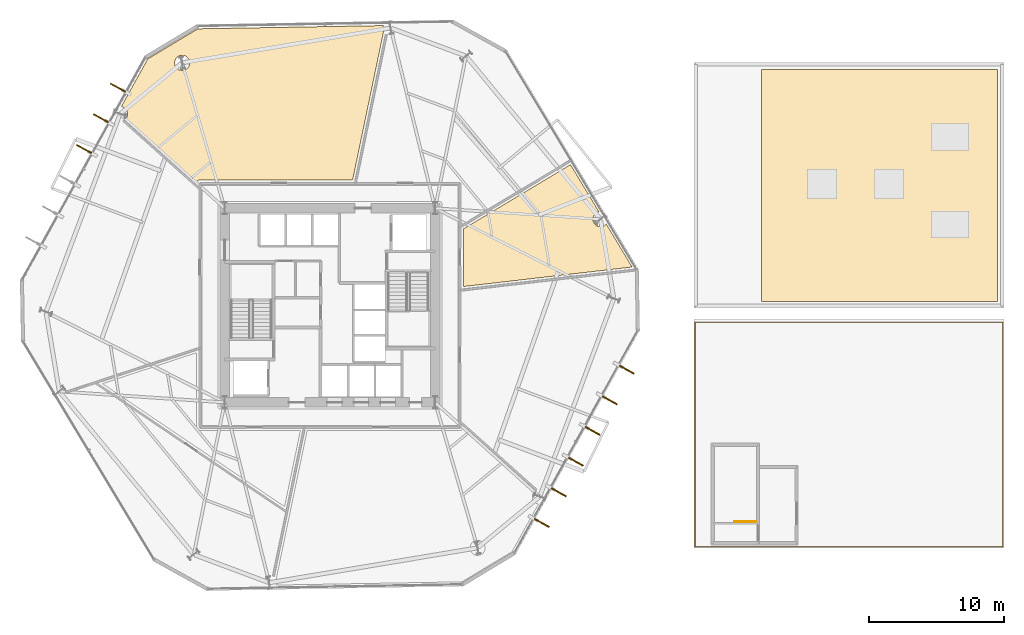
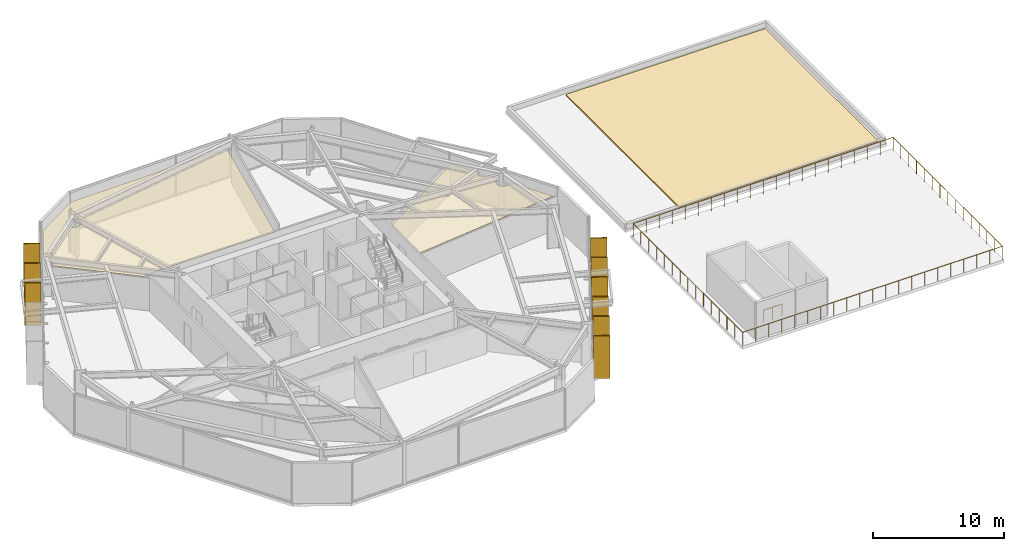
# One storey, part 11 of 11: 12 coverings, 9 shading devices, 2 railings.
"""IFC4 building model written with IfcOpenShell, lengths in metres."""

from ifc_helpers import new_model, si_unit, direction, frame, origin, origin_2d, place, context, subcontext, project, spatial, polyline, rectangle, circle, outline, extrude, material, layer, layer_set, type_object, element, save


model = new_model("IFC4")

# Units and contexts
model_context = context("Model", 3, precision=1e-05, world=origin(), true_north=direction((0.0, 1.0)))
body_context = subcontext(model_context, "Body", "Model", "MODEL_VIEW")
ifc_project = project(units=[si_unit("LENGTHUNIT", "METRE"), si_unit("AREAUNIT", "SQUARE_METRE"), si_unit("VOLUMEUNIT", "CUBIC_METRE"), si_unit("PLANEANGLEUNIT", "RADIAN"), si_unit("MASSUNIT", "GRAM", prefix="KILO")], contexts=[model_context])

# Site, building, storey
site_placement = place(None, origin())
site = spatial("IfcSite", under=ifc_project, at=site_placement, CompositionType="ELEMENT")
building_placement = place(site_placement, origin())
building = spatial("IfcBuilding", under=site, at=building_placement, Name="Kranzbogen Civic Tower", CompositionType="ELEMENT")
storey_placement = place(building_placement, frame((0.0, 0.0, 24.0)))
storey = spatial("IfcBuildingStorey", under=building, at=storey_placement, Name="L05", CompositionType="ELEMENT", Elevation=24.0)

# Coverings
ifc_material_1 = material(Name="Pale Anodised Aluminium", Category="aluminium")
ifc_layer_1 = layer(ifc_material_1, 0.02490234375, Name="Pale Anodised Aluminium")
ifc_layer_set_1 = layer_set([ifc_layer_1], Name="Pale Anodised Aluminium")
covering_type_1 = type_object("IfcCoveringType", Name="Anodised Aluminium Vertical Fin Cladding 25 mm", PredefinedType="CLADDING", material=ifc_layer_set_1)
for number, where, z_axis, x_axis, name in (
    (1, (9.281005859375, 41.14501953125, -0.139892578125), (0.0, 0.0, 1.0), (-0.874619707139, 0.484809620246, 0.0), "L05 vertical fin pale-metal cladding F3-1"),
    (2, (8.02099609375, 38.87109375, -0.139892578125), (0.0, 0.0, 1.0), (-0.874619707139, 0.484809620246, 0.0), "L05 vertical fin pale-metal cladding F3-2"),
    (3, (6.760009765625, 36.596923828125, -0.139892578125), (0.0, 0.0, 1.0), (-0.874619707139, 0.484809620246, 0.0), "L05 vertical fin pale-metal cladding F3-3"),
    (4, (40.718994140625, 8.85498046875, -0.139892578125), (0.0, 0.0, 1.0), (0.874619707139, -0.484809620246, 0.0), "L05 vertical fin pale-metal cladding F6-1"),
    (5, (41.97900390625, 11.12890625, -0.139892578125), (0.0, 0.0, 1.0), (0.874619707139, -0.484809620246, 0.0), "L05 vertical fin pale-metal cladding F6-2"),
    (6, (43.239990234375, 13.403076171875, -0.139892578125), (0.0, 0.0, 1.0), (0.874619707139, -0.484809620246, 0.0), "L05 vertical fin pale-metal cladding F6-3"),
    (7, (44.5, 15.677001953125, -0.139892578125), (0.0, 0.0, 1.0), (0.874619707139, -0.484809620246, 0.0), "L05 vertical fin pale-metal cladding F6-4"),
    (8, (45.760986328125, 17.950927734375, -0.139892578125), (0.0, 0.0, 1.0), (0.874619707139, -0.484809620246, 0.0), "L05 vertical fin pale-metal cladding F6-5"),
    (9, (47.02099609375, 20.22509765625, -0.139892578125), (0.0, 0.0, 1.0), (0.874619707139, -0.484809620246, 0.0), "L05 vertical fin pale-metal cladding F6-6"),
):
    element("IfcCovering", number, at=place(storey_placement, frame(where, z_axis=z_axis, x_axis=x_axis)), inside=storey, type_object=covering_type_1, Name=name, PredefinedType="CLADDING", context=body_context, shape_type="SweptSolid", body=[
        extrude(rectangle(XDim=1.25, YDim=0.10009765625, at=origin_2d()), origin(), (0.0, 0.0, 1.0), 3.9599609375),
    ])

# Shading devices
ifc_material_2 = material(Name="Anodised Bronze Aluminium", Category="aluminium")
shading_device_type = type_object("IfcShadingDeviceType", Name="Anodised Bronze Vertical Facade Fin 1250x80", PredefinedType="USERDEFINED", material=ifc_material_2)
for number, where, z_axis, x_axis, name in (
    (10, (9.281005859375, 41.14501953125, -0.139892578125), (0.0, 0.0, 1.0), (-0.874619707139, 0.484809620246, 0.0), "L05 vertical exterior shading fin F3-1"),
    (11, (8.02099609375, 38.87109375, -0.139892578125), (0.0, 0.0, 1.0), (-0.874619707139, 0.484809620246, 0.0), "L05 vertical exterior shading fin F3-2"),
    (12, (6.760009765625, 36.596923828125, -0.139892578125), (0.0, 0.0, 1.0), (-0.874619707139, 0.484809620246, 0.0), "L05 vertical exterior shading fin F3-3"),
    (13, (40.718994140625, 8.85498046875, -0.139892578125), (0.0, 0.0, 1.0), (0.874619707139, -0.484809620246, 0.0), "L05 vertical exterior shading fin F6-1"),
    (14, (41.97900390625, 11.12890625, -0.139892578125), (0.0, 0.0, 1.0), (0.874619707139, -0.484809620246, 0.0), "L05 vertical exterior shading fin F6-2"),
    (15, (43.239990234375, 13.403076171875, -0.139892578125), (0.0, 0.0, 1.0), (0.874619707139, -0.484809620246, 0.0), "L05 vertical exterior shading fin F6-3"),
    (16, (44.5, 15.677001953125, -0.139892578125), (0.0, 0.0, 1.0), (0.874619707139, -0.484809620246, 0.0), "L05 vertical exterior shading fin F6-4"),
    (17, (45.760986328125, 17.950927734375, -0.139892578125), (0.0, 0.0, 1.0), (0.874619707139, -0.484809620246, 0.0), "L05 vertical exterior shading fin F6-5"),
    (18, (47.02099609375, 20.22509765625, -0.139892578125), (0.0, 0.0, 1.0), (0.874619707139, -0.484809620246, 0.0), "L05 vertical exterior shading fin F6-6"),
):
    element("IfcShadingDevice", number, at=place(storey_placement, frame(where, z_axis=z_axis, x_axis=x_axis)), inside=storey, type_object=shading_device_type, Name=name, ObjectType="FIN", PredefinedType="USERDEFINED", context=body_context, shape_type="SweptSolid", body=[
        extrude(rectangle(XDim=1.25, YDim=0.080078125, at=origin_2d()), origin(), (0.0, 0.0, 1.0), 3.9599609375),
    ])

# Covering
ifc_material_3 = material(Name="Waterproof Membrane and Pale Anodised Aluminium", Category="aluminium")
ifc_layer_2 = layer(ifc_material_3, 0.1201171875, Name="Waterproof Membrane and Pale Anodised Aluminium")
ifc_layer_set_2 = layer_set([ifc_layer_2], Name="Waterproof Membrane and Pale Anodised Aluminium")
covering_type_2 = type_object("IfcCoveringType", Name="Insulated Standing-Seam Metal and Glass Roofing 120 mm", PredefinedType="ROOFING", material=ifc_layer_set_2)
covering_1_placement = place(storey_placement, origin())
element("IfcCovering", 19, at=covering_1_placement, inside=storey, type_object=covering_type_2, Name="L05 Health Centre insulated waterproof roofing", PredefinedType="ROOFING", context=body_context, shape_type="SweptSolid", body=[
    extrude(outline(polyline([(57.0, 25.300048828125), (74.5, 25.300048828125), (74.5, 42.5), (57.0, 42.5), (57.0, 25.300048828125)])), origin(), (0.0, 0.0, 1.0), 0.1201171875),
])

# Railing
ifc_material_4 = material(Name="Steel S355", Category="steel")
railing_type_1 = type_object("IfcRailingType", Name="Internal Stair and Void Steel Guardrail 1150", PredefinedType="GUARDRAIL", material=ifc_material_4)
railing_1_placement = place(storey_placement, frame((56.60009765625, 8.949951171875, 0.0)))
element("IfcRailing", 20, at=railing_1_placement, inside=storey, type_object=railing_type_1, Name="L05 ST-H1 top well guard 1", PredefinedType="GUARDRAIL", context=body_context, shape_type="SweptSolid", body=[
    extrude(circle(Radius=0.02392578125, at=origin_2d()), frame((0.0, 0.0, 1.1259765625), z_axis=(-1.0, 0.0, 0.0), x_axis=(0.0, -1.0, 0.0)), (0.0, 0.0, 1.0), 1.60009765625),
    extrude(circle(Radius=0.02099609375, at=origin_2d()), origin(), (0.0, 0.0, 1.0), 1.101806640625),
    extrude(circle(Radius=0.02099609375, at=origin_2d()), frame((-0.800048828125, 0.0, 0.0)), (0.0, 0.0, 1.0), 1.101806640625),
    extrude(circle(Radius=0.02099609375, at=origin_2d()), frame((-1.60009765625, 0.0, 0.0)), (0.0, 0.0, 1.0), 1.101806640625),
])

# Coverings
ifc_material_5 = material(Name="Perforated Acoustic Gypsum Ceiling")
ifc_layer_3 = layer(ifc_material_5, 0.02490234375, Name="Perforated Acoustic Gypsum Ceiling")
ifc_layer_set_3 = layer_set([ifc_layer_3], Name="Perforated Acoustic Gypsum Ceiling")
covering_type_3 = type_object("IfcCoveringType", Name="Perforated Acoustic Mineral Ceiling Tile 25 mm", PredefinedType="CEILING", material=ifc_layer_set_3)
covering_2_placement = place(storey_placement, frame((0.0, 0.0, 2.89990234375)))
element("IfcCovering", 21, at=covering_2_placement, inside=storey, type_object=covering_type_3, Name="L05 Parliamentary Review Boardroom acoustic ceiling", PredefinedType="CEILING", context=body_context, shape_type="SweptSolid", body=[
    extrude(outline(polyline([(34.89501953125, 26.39111328125), (34.89501953125, 30.659912109375), (42.847900390625, 35.43798828125), (44.955078125, 31.93310546875), (44.909912109375, 31.9208984375), (44.85791015625, 31.903076171875), (44.80810546875, 31.87890625), (44.760986328125, 31.85107421875), (44.717041015625, 31.818115234375), (44.676025390625, 31.781982421875), (44.639892578125, 31.740966796875), (44.60693359375, 31.697021484375), (44.5791015625, 31.64990234375), (44.554931640625, 31.60009765625), (44.537109375, 31.548095703125), (44.52294921875, 31.4951171875), (44.514892578125, 31.44091796875), (44.512939453125, 31.385986328125), (44.514892578125, 31.3310546875), (44.52294921875, 31.277099609375), (44.537109375, 31.22412109375), (44.554931640625, 31.172119140625), (44.5791015625, 31.1220703125), (44.60693359375, 31.074951171875), (44.639892578125, 31.031005859375), (44.676025390625, 30.989990234375), (44.717041015625, 30.9541015625), (44.760986328125, 30.9208984375), (44.80810546875, 30.89306640625), (44.85791015625, 30.868896484375), (44.909912109375, 30.85107421875), (44.962890625, 30.8369140625), (45.01708984375, 30.8291015625), (45.072021484375, 30.826904296875), (45.126953125, 30.8291015625), (45.180908203125, 30.8369140625), (45.23388671875, 30.85107421875), (45.285888671875, 30.868896484375), (45.3359375, 30.89306640625), (45.383056640625, 30.9208984375), (45.427001953125, 30.9541015625), (45.468017578125, 30.989990234375), (45.4990234375, 31.02587890625), (47.4140625, 27.840087890625), (34.89501953125, 26.39111328125)])), origin(), (0.0, 0.0, 1.0), 0.025146484375),
])
covering_3_placement = place(storey_placement, frame((0.0, 0.0, 2.89990234375)))
element("IfcCovering", 22, at=covering_3_placement, inside=storey, type_object=covering_type_3, Name="L05 Delegates Sitting Lounge acoustic ceiling", PredefinedType="CEILING", context=body_context, shape_type="SweptSolid", body=[
    extrude(outline(polyline([(15.201904296875, 45.508056640625), (28.972900390625, 45.748046875), (28.969970703125, 45.738037109375), (28.9560546875, 45.68505859375), (28.947998046875, 45.631103515625), (28.946044921875, 45.575927734375), (28.947998046875, 45.52099609375), (28.9560546875, 45.467041015625), (28.969970703125, 45.4140625), (28.988037109375, 45.362060546875), (28.992919921875, 45.35107421875), (26.68798828125, 34.294921875), (15.35009765625, 34.294921875), (15.341064453125, 34.294921875), (15.3349609375, 34.2939453125), (15.31689453125, 34.29296875), (15.31103515625, 34.2919921875), (15.2939453125, 34.2880859375), (15.287109375, 34.287109375), (15.27001953125, 34.281982421875), (15.263916015625, 34.280029296875), (15.248046875, 34.27294921875), (15.241943359375, 34.27001953125), (15.22705078125, 34.261962890625), (15.220947265625, 34.258056640625), (15.20703125, 34.2490234375), (15.201904296875, 34.2451171875), (15.18798828125, 34.23388671875), (15.18310546875, 34.22900390625), (15.1708984375, 34.217041015625), (15.166015625, 34.2119140625), (15.155029296875, 34.197998046875), (15.15087890625, 34.193115234375), (15.14208984375, 34.178955078125), (15.137939453125, 34.173095703125), (15.1298828125, 34.157958984375), (15.126953125, 34.152099609375), (15.1259765625, 34.14990234375), (9.873046875, 38.843994140625), (9.89794921875, 38.8779296875), (9.926025390625, 38.925048828125), (9.949951171875, 38.97509765625), (9.968017578125, 39.027099609375), (9.98193359375, 39.080078125), (9.989990234375, 39.134033203125), (9.991943359375, 39.18896484375), (9.989990234375, 39.243896484375), (9.98193359375, 39.298095703125), (9.968017578125, 39.35107421875), (9.949951171875, 39.403076171875), (9.926025390625, 39.452880859375), (9.89794921875, 39.5), (9.864990234375, 39.5439453125), (9.8291015625, 39.5849609375), (9.7880859375, 39.62109375), (9.743896484375, 39.654052734375), (9.697021484375, 39.681884765625), (9.64697265625, 39.7060546875), (9.594970703125, 39.72412109375), (9.5419921875, 39.738037109375), (9.531005859375, 39.739013671875), (11.492919921875, 43.279052734375), (15.201904296875, 45.508056640625)]), holes=[polyline([(14.55908203125, 42.77392578125), (14.534912109375, 42.72412109375), (14.507080078125, 42.677001953125), (14.47412109375, 42.633056640625), (14.43798828125, 42.592041015625), (14.39697265625, 42.555908203125), (14.35302734375, 42.52294921875), (14.305908203125, 42.4951171875), (14.256103515625, 42.470947265625), (14.2041015625, 42.452880859375), (14.15087890625, 42.43896484375), (14.096923828125, 42.430908203125), (14.0419921875, 42.428955078125), (13.987060546875, 42.430908203125), (13.93310546875, 42.43896484375), (13.8798828125, 42.452880859375), (13.827880859375, 42.470947265625), (13.778076171875, 42.4951171875), (13.73095703125, 42.52294921875), (13.68701171875, 42.555908203125), (13.64599609375, 42.592041015625), (13.610107421875, 42.633056640625), (13.576904296875, 42.677001953125), (13.549072265625, 42.72412109375), (13.52490234375, 42.77392578125), (13.507080078125, 42.825927734375), (13.492919921875, 42.87890625), (13.485107421875, 42.93310546875), (13.48291015625, 42.988037109375), (13.485107421875, 43.04296875), (13.492919921875, 43.096923828125), (13.507080078125, 43.14990234375), (13.52490234375, 43.201904296875), (13.549072265625, 43.251953125), (13.576904296875, 43.299072265625), (13.610107421875, 43.343017578125), (13.64599609375, 43.384033203125), (13.68701171875, 43.419921875), (13.73095703125, 43.452880859375), (13.778076171875, 43.48095703125), (13.827880859375, 43.5048828125), (13.8798828125, 43.52294921875), (13.93310546875, 43.537109375), (13.987060546875, 43.544921875), (14.0419921875, 43.547119140625), (14.096923828125, 43.544921875), (14.15087890625, 43.537109375), (14.2041015625, 43.52294921875), (14.256103515625, 43.5048828125), (14.305908203125, 43.48095703125), (14.35302734375, 43.452880859375), (14.39697265625, 43.419921875), (14.43798828125, 43.384033203125), (14.47412109375, 43.343017578125), (14.507080078125, 43.299072265625), (14.534912109375, 43.251953125), (14.55908203125, 43.201904296875), (14.576904296875, 43.14990234375), (14.591064453125, 43.096923828125), (14.59912109375, 43.04296875), (14.60107421875, 42.988037109375), (14.59912109375, 42.93310546875), (14.591064453125, 42.87890625), (14.576904296875, 42.825927734375), (14.55908203125, 42.77392578125)])]), origin(), (0.0, 0.0, 1.0), 0.025146484375),
])

# Railing
railing_type_2 = type_object("IfcRailingType", Name="Setback and Roof Garden Safety Balustrade 1250", PredefinedType="BALUSTRADE", material=ifc_material_1)
railing_2_placement = place(storey_placement, frame((52.080078125, 23.75, 0.0)))
element("IfcRailing", 23, at=railing_2_placement, inside=storey, type_object=railing_type_2, Name="L05 Health Centre roof garden safety balustrade", PredefinedType="BALUSTRADE", context=body_context, shape_type="SweptSolid", body=[
    extrude(circle(Radius=0.02392578125, at=origin_2d()), frame((0.0, 0.0, 1.22607421875), z_axis=(0.0, -1.0, 0.0), x_axis=(1.0, 0.0, 0.0)), (0.0, 0.0, 1.0), 16.669921875),
    extrude(circle(Radius=0.02392578125, at=origin_2d()), frame((0.0, -16.669921875, 1.22607421875), z_axis=(1.0, 0.0, 0.0), x_axis=(0.0, 1.0, 0.0)), (0.0, 0.0, 1.0), 22.83984375),
    extrude(circle(Radius=0.02392578125, at=origin_2d()), frame((22.83984375, -16.669921875, 1.22607421875), z_axis=(0.0, 1.0, 0.0), x_axis=(-1.0, 0.0, 0.0)), (0.0, 0.0, 1.0), 16.669921875),
    extrude(circle(Radius=0.02392578125, at=origin_2d()), frame((22.83984375, 0.0, 1.22607421875), z_axis=(-1.0, 0.0, 0.0), x_axis=(0.0, -1.0, 0.0)), (0.0, 0.0, 1.0), 22.83984375),
    extrude(circle(Radius=0.02099609375, at=origin_2d()), origin(), (0.0, 0.0, 1.0), 1.201904296875),
    extrude(circle(Radius=0.02099609375, at=origin_2d()), frame((0.0, -1.190673828125, 0.0)), (0.0, 0.0, 1.0), 1.201904296875),
    extrude(circle(Radius=0.02099609375, at=origin_2d()), frame((0.0, -2.38134765625, 0.0)), (0.0, 0.0, 1.0), 1.201904296875),
    extrude(circle(Radius=0.02099609375, at=origin_2d()), frame((0.0, -3.572021484375, 0.0)), (0.0, 0.0, 1.0), 1.201904296875),
    extrude(circle(Radius=0.02099609375, at=origin_2d()), frame((0.0, -4.762939453125, 0.0)), (0.0, 0.0, 1.0), 1.201904296875),
    extrude(circle(Radius=0.02099609375, at=origin_2d()), frame((0.0, -5.95361328125, 0.0)), (0.0, 0.0, 1.0), 1.201904296875),
    extrude(circle(Radius=0.02099609375, at=origin_2d()), frame((0.0, -7.144287109375, 0.0)), (0.0, 0.0, 1.0), 1.201904296875),
    extrude(circle(Radius=0.02099609375, at=origin_2d()), frame((0.0, -8.3349609375, 0.0)), (0.0, 0.0, 1.0), 1.201904296875),
    extrude(circle(Radius=0.02099609375, at=origin_2d()), frame((0.0, -9.525634765625, 0.0)), (0.0, 0.0, 1.0), 1.201904296875),
    extrude(circle(Radius=0.02099609375, at=origin_2d()), frame((0.0, -10.71630859375, 0.0)), (0.0, 0.0, 1.0), 1.201904296875),
    extrude(circle(Radius=0.02099609375, at=origin_2d()), frame((0.0, -11.906982421875, 0.0)), (0.0, 0.0, 1.0), 1.201904296875),
    extrude(circle(Radius=0.02099609375, at=origin_2d()), frame((0.0, -13.097900390625, 0.0)), (0.0, 0.0, 1.0), 1.201904296875),
    extrude(circle(Radius=0.02099609375, at=origin_2d()), frame((0.0, -14.28857421875, 0.0)), (0.0, 0.0, 1.0), 1.201904296875),
    extrude(circle(Radius=0.02099609375, at=origin_2d()), frame((0.0, -15.479248046875, 0.0)), (0.0, 0.0, 1.0), 1.201904296875),
    extrude(circle(Radius=0.02099609375, at=origin_2d()), frame((0.0, -16.669921875, 0.0)), (0.0, 0.0, 1.0), 1.201904296875),
    extrude(circle(Radius=0.02099609375, at=origin_2d()), frame((1.14208984375, -16.669921875, 0.0)), (0.0, 0.0, 1.0), 1.201904296875),
    extrude(circle(Radius=0.02099609375, at=origin_2d()), frame((2.283935546875, -16.669921875, 0.0)), (0.0, 0.0, 1.0), 1.201904296875),
    extrude(circle(Radius=0.02099609375, at=origin_2d()), frame((3.426025390625, -16.669921875, 0.0)), (0.0, 0.0, 1.0), 1.201904296875),
    extrude(circle(Radius=0.02099609375, at=origin_2d()), frame((4.56787109375, -16.669921875, 0.0)), (0.0, 0.0, 1.0), 1.201904296875),
    extrude(circle(Radius=0.02099609375, at=origin_2d()), frame((5.7099609375, -16.669921875, 0.0)), (0.0, 0.0, 1.0), 1.201904296875),
    extrude(circle(Radius=0.02099609375, at=origin_2d()), frame((6.85205078125, -16.669921875, 0.0)), (0.0, 0.0, 1.0), 1.201904296875),
    extrude(circle(Radius=0.02099609375, at=origin_2d()), frame((7.993896484375, -16.669921875, 0.0)), (0.0, 0.0, 1.0), 1.201904296875),
    extrude(circle(Radius=0.02099609375, at=origin_2d()), frame((9.135986328125, -16.669921875, 0.0)), (0.0, 0.0, 1.0), 1.201904296875),
    extrude(circle(Radius=0.02099609375, at=origin_2d()), frame((10.27783203125, -16.669921875, 0.0)), (0.0, 0.0, 1.0), 1.201904296875),
    extrude(circle(Radius=0.02099609375, at=origin_2d()), frame((11.419921875, -16.669921875, 0.0)), (0.0, 0.0, 1.0), 1.201904296875),
    extrude(circle(Radius=0.02099609375, at=origin_2d()), frame((12.56201171875, -16.669921875, 0.0)), (0.0, 0.0, 1.0), 1.201904296875),
    extrude(circle(Radius=0.02099609375, at=origin_2d()), frame((13.703857421875, -16.669921875, 0.0)), (0.0, 0.0, 1.0), 1.201904296875),
    extrude(circle(Radius=0.02099609375, at=origin_2d()), frame((14.845947265625, -16.669921875, 0.0)), (0.0, 0.0, 1.0), 1.201904296875),
    extrude(circle(Radius=0.02099609375, at=origin_2d()), frame((15.98779296875, -16.669921875, 0.0)), (0.0, 0.0, 1.0), 1.201904296875),
    extrude(circle(Radius=0.02099609375, at=origin_2d()), frame((17.1298828125, -16.669921875, 0.0)), (0.0, 0.0, 1.0), 1.201904296875),
    extrude(circle(Radius=0.02099609375, at=origin_2d()), frame((18.27197265625, -16.669921875, 0.0)), (0.0, 0.0, 1.0), 1.201904296875),
    extrude(circle(Radius=0.02099609375, at=origin_2d()), frame((19.413818359375, -16.669921875, 0.0)), (0.0, 0.0, 1.0), 1.201904296875),
    extrude(circle(Radius=0.02099609375, at=origin_2d()), frame((20.555908203125, -16.669921875, 0.0)), (0.0, 0.0, 1.0), 1.201904296875),
    extrude(circle(Radius=0.02099609375, at=origin_2d()), frame((21.69775390625, -16.669921875, 0.0)), (0.0, 0.0, 1.0), 1.201904296875),
    extrude(circle(Radius=0.02099609375, at=origin_2d()), frame((22.83984375, -16.669921875, 0.0)), (0.0, 0.0, 1.0), 1.201904296875),
    extrude(circle(Radius=0.02099609375, at=origin_2d()), frame((22.83984375, -15.479248046875, 0.0)), (0.0, 0.0, 1.0), 1.201904296875),
    extrude(circle(Radius=0.02099609375, at=origin_2d()), frame((22.83984375, -14.28857421875, 0.0)), (0.0, 0.0, 1.0), 1.201904296875),
    extrude(circle(Radius=0.02099609375, at=origin_2d()), frame((22.83984375, -13.097900390625, 0.0)), (0.0, 0.0, 1.0), 1.201904296875),
    extrude(circle(Radius=0.02099609375, at=origin_2d()), frame((22.83984375, -11.906982421875, 0.0)), (0.0, 0.0, 1.0), 1.201904296875),
    extrude(circle(Radius=0.02099609375, at=origin_2d()), frame((22.83984375, -10.71630859375, 0.0)), (0.0, 0.0, 1.0), 1.201904296875),
    extrude(circle(Radius=0.02099609375, at=origin_2d()), frame((22.83984375, -9.525634765625, 0.0)), (0.0, 0.0, 1.0), 1.201904296875),
    extrude(circle(Radius=0.02099609375, at=origin_2d()), frame((22.83984375, -8.3349609375, 0.0)), (0.0, 0.0, 1.0), 1.201904296875),
    extrude(circle(Radius=0.02099609375, at=origin_2d()), frame((22.83984375, -7.144287109375, 0.0)), (0.0, 0.0, 1.0), 1.201904296875),
    extrude(circle(Radius=0.02099609375, at=origin_2d()), frame((22.83984375, -5.95361328125, 0.0)), (0.0, 0.0, 1.0), 1.201904296875),
    extrude(circle(Radius=0.02099609375, at=origin_2d()), frame((22.83984375, -4.762939453125, 0.0)), (0.0, 0.0, 1.0), 1.201904296875),
    extrude(circle(Radius=0.02099609375, at=origin_2d()), frame((22.83984375, -3.572021484375, 0.0)), (0.0, 0.0, 1.0), 1.201904296875),
    extrude(circle(Radius=0.02099609375, at=origin_2d()), frame((22.83984375, -2.38134765625, 0.0)), (0.0, 0.0, 1.0), 1.201904296875),
    extrude(circle(Radius=0.02099609375, at=origin_2d()), frame((22.83984375, -1.190673828125, 0.0)), (0.0, 0.0, 1.0), 1.201904296875),
    extrude(circle(Radius=0.02099609375, at=origin_2d()), frame((22.83984375, 0.0, 0.0)), (0.0, 0.0, 1.0), 1.201904296875),
    extrude(circle(Radius=0.02099609375, at=origin_2d()), frame((21.69775390625, 0.0, 0.0)), (0.0, 0.0, 1.0), 1.201904296875),
    extrude(circle(Radius=0.02099609375, at=origin_2d()), frame((20.555908203125, 0.0, 0.0)), (0.0, 0.0, 1.0), 1.201904296875),
    extrude(circle(Radius=0.02099609375, at=origin_2d()), frame((19.413818359375, 0.0, 0.0)), (0.0, 0.0, 1.0), 1.201904296875),
    extrude(circle(Radius=0.02099609375, at=origin_2d()), frame((18.27197265625, 0.0, 0.0)), (0.0, 0.0, 1.0), 1.201904296875),
    extrude(circle(Radius=0.02099609375, at=origin_2d()), frame((17.1298828125, 0.0, 0.0)), (0.0, 0.0, 1.0), 1.201904296875),
    extrude(circle(Radius=0.02099609375, at=origin_2d()), frame((15.98779296875, 0.0, 0.0)), (0.0, 0.0, 1.0), 1.201904296875),
    extrude(circle(Radius=0.02099609375, at=origin_2d()), frame((14.845947265625, 0.0, 0.0)), (0.0, 0.0, 1.0), 1.201904296875),
    extrude(circle(Radius=0.02099609375, at=origin_2d()), frame((13.703857421875, 0.0, 0.0)), (0.0, 0.0, 1.0), 1.201904296875),
    extrude(circle(Radius=0.02099609375, at=origin_2d()), frame((12.56201171875, 0.0, 0.0)), (0.0, 0.0, 1.0), 1.201904296875),
    extrude(circle(Radius=0.02099609375, at=origin_2d()), frame((11.419921875, 0.0, 0.0)), (0.0, 0.0, 1.0), 1.201904296875),
    extrude(circle(Radius=0.02099609375, at=origin_2d()), frame((10.27783203125, 0.0, 0.0)), (0.0, 0.0, 1.0), 1.201904296875),
    extrude(circle(Radius=0.02099609375, at=origin_2d()), frame((9.135986328125, 0.0, 0.0)), (0.0, 0.0, 1.0), 1.201904296875),
    extrude(circle(Radius=0.02099609375, at=origin_2d()), frame((7.993896484375, 0.0, 0.0)), (0.0, 0.0, 1.0), 1.201904296875),
    extrude(circle(Radius=0.02099609375, at=origin_2d()), frame((6.85205078125, 0.0, 0.0)), (0.0, 0.0, 1.0), 1.201904296875),
    extrude(circle(Radius=0.02099609375, at=origin_2d()), frame((5.7099609375, 0.0, 0.0)), (0.0, 0.0, 1.0), 1.201904296875),
    extrude(circle(Radius=0.02099609375, at=origin_2d()), frame((4.56787109375, 0.0, 0.0)), (0.0, 0.0, 1.0), 1.201904296875),
    extrude(circle(Radius=0.02099609375, at=origin_2d()), frame((3.426025390625, 0.0, 0.0)), (0.0, 0.0, 1.0), 1.201904296875),
    extrude(circle(Radius=0.02099609375, at=origin_2d()), frame((2.283935546875, 0.0, 0.0)), (0.0, 0.0, 1.0), 1.201904296875),
    extrude(circle(Radius=0.02099609375, at=origin_2d()), frame((1.14208984375, 0.0, 0.0)), (0.0, 0.0, 1.0), 1.201904296875),
])

save(model, "model.ifc")
